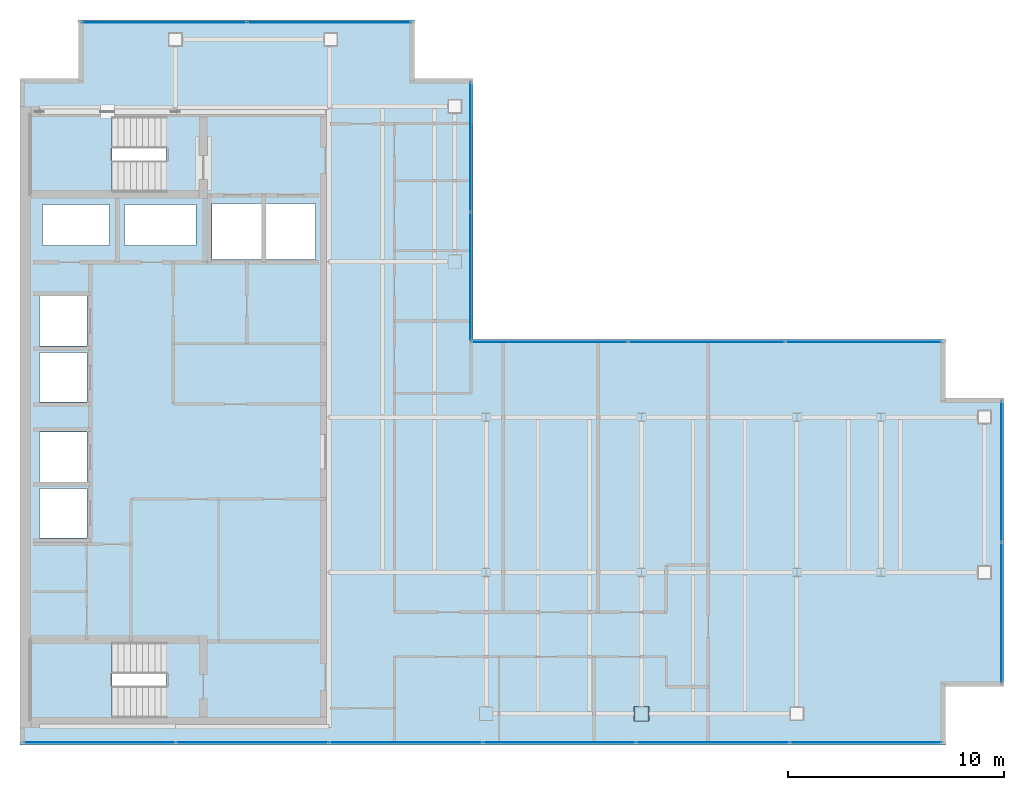
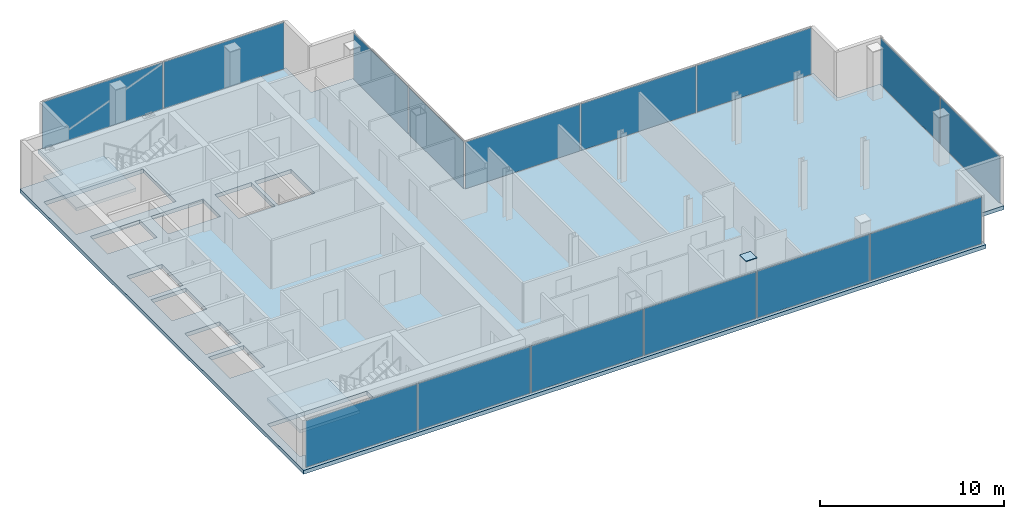
# One storey, part 19 of 24: 16 plates, 3 slabs, 10 openings, 7 elements without a shape of their own.
"""IFC4 building model written with IfcOpenShell, lengths in metres."""

from ifc_helpers import new_model, si_unit, direction, frame, origin, origin_2d, place, context, subcontext, project, spatial, polyline, rectangle, outline, extrude, material, layer, layer_set, type_object, element, aggregate, save


model = new_model("IFC4")

# Units and contexts
model_context = context("Model", 3, precision=1e-05, world=origin(), true_north=direction((0.0, 1.0)))
body_context = subcontext(model_context, "Body", "Model", "MODEL_VIEW")
ifc_project = project(units=[si_unit("LENGTHUNIT", "METRE"), si_unit("AREAUNIT", "SQUARE_METRE"), si_unit("VOLUMEUNIT", "CUBIC_METRE"), si_unit("PLANEANGLEUNIT", "RADIAN"), si_unit("MASSUNIT", "GRAM", prefix="KILO")], contexts=[model_context])

# Site, building, storey
site_placement = place(None, origin())
site = spatial("IfcSite", under=ifc_project, at=site_placement, CompositionType="ELEMENT")
building_placement = place(site_placement, origin())
building = spatial("IfcBuilding", under=site, at=building_placement, Name="Cobrela Telecom Tower", CompositionType="ELEMENT")
storey_placement = place(building_placement, frame((0.0, 0.0, 290.14990234375)))
storey = spatial("IfcBuildingStorey", under=building, at=storey_placement, Name="L76", CompositionType="ELEMENT", Elevation=290.14990234375)

# Curtain wall, plates
ifc_material_1 = material(Name="Anodized Bronze Aluminium 6063-T6", Category="aluminium")
curtain_wall_type = type_object("IfcCurtainWallType", Name="CW-SYS-OFF-HI", PredefinedType="USERDEFINED", material=ifc_material_1)
curtain_wall_1_placement = place(storey_placement, origin())
curtain_wall_1 = element("IfcCurtainWall", 1, at=curtain_wall_1_placement, inside=storey, type_object=curtain_wall_type, Name="L76 Unitised Bronze Curtain Wall 05", ObjectType="UNITISED CURTAIN WALL", PredefinedType="USERDEFINED")
ifc_material_2 = material(Name="Solar-Control Bronze Low-E Glass", Category="glass")
ifc_layer_1 = layer(ifc_material_2, 0.030029296875)
ifc_layer_set_1 = layer_set([ifc_layer_1], Name="Solar-Control Bronze Low-E Glass")
plate_type_1 = type_object("IfcPlateType", Name="CW-SYS-OFF-HI-PNL", PredefinedType="CURTAIN_PANEL", material=ifc_layer_set_1)
plate_1_placement = place(storey_placement, frame((6.6826171875, 39.8798828125, 0.06494140625), z_axis=(0.0, 0.0, 1.0), x_axis=(1.0, 0.0, 0.0)))
plate_1 = element("IfcPlate", 2, at=plate_1_placement, type_object=plate_type_1, Name="CW-OFF-HI panel 1.1", PredefinedType="CURTAIN_PANEL", context=body_context, shape_type="SweptSolid", body=[
    extrude(rectangle(XDim=7.56494140625, YDim=0.030029296875, at=origin_2d()), origin(), (0.0, 0.0, 1.0), 3.110107421875),
])
plate_2_placement = place(storey_placement, frame((14.3173828125, 39.8798828125, 0.06494140625), z_axis=(0.0, 0.0, 1.0), x_axis=(1.0, 0.0, 0.0)))
plate_2 = element("IfcPlate", 3, at=plate_2_placement, type_object=plate_type_1, Name="CW-OFF-HI panel 2.1", PredefinedType="CURTAIN_PANEL", context=body_context, shape_type="SweptSolid", body=[
    extrude(rectangle(XDim=7.56494140625, YDim=0.030029296875, at=origin_2d()), origin(), (0.0, 0.0, 1.0), 3.110107421875),
])
aggregate(curtain_wall_1, [plate_1, plate_2])

curtain_wall_2_placement = place(storey_placement, origin())
curtain_wall_2 = element("IfcCurtainWall", 4, at=curtain_wall_2_placement, inside=storey, type_object=curtain_wall_type, Name="L76 Unitised Bronze Curtain Wall 08", ObjectType="UNITISED CURTAIN WALL", PredefinedType="USERDEFINED")
plate_3_placement = place(storey_placement, frame((20.8798828125, 34.1298828125, 0.06494140625), z_axis=(0.0, 0.0, 1.0), x_axis=(0.0, -1.0, 0.0)))
plate_3 = element("IfcPlate", 5, at=plate_3_placement, type_object=plate_type_1, Name="CW-OFF-HI panel 1.1", PredefinedType="CURTAIN_PANEL", context=body_context, shape_type="SweptSolid", body=[
    extrude(rectangle(XDim=5.93994140625, YDim=0.030029296875, at=origin_2d()), origin(), (0.0, 0.0, 1.0), 3.110107421875),
])
plate_4_placement = place(storey_placement, frame((20.8798828125, 28.1201171875, 0.06494140625), z_axis=(0.0, 0.0, 1.0), x_axis=(0.0, -1.0, 0.0)))
plate_4 = element("IfcPlate", 6, at=plate_4_placement, type_object=plate_type_1, Name="CW-OFF-HI panel 2.1", PredefinedType="CURTAIN_PANEL", context=body_context, shape_type="SweptSolid", body=[
    extrude(rectangle(XDim=5.93994140625, YDim=0.030029296875, at=origin_2d()), origin(), (0.0, 0.0, 1.0), 3.110107421875),
])
aggregate(curtain_wall_2, [plate_3, plate_4])

curtain_wall_3_placement = place(storey_placement, origin())
curtain_wall_3 = element("IfcCurtainWall", 7, at=curtain_wall_3_placement, inside=storey, type_object=curtain_wall_type, Name="L76 Unitised Bronze Curtain Wall 09", ObjectType="UNITISED CURTAIN WALL", PredefinedType="USERDEFINED")
plate_5_placement = place(storey_placement, frame((24.5458984375, 25.080078125, 0.06494140625), z_axis=(0.0, 0.0, 1.0), x_axis=(1.0, 0.0, 0.0)))
plate_5 = element("IfcPlate", 8, at=plate_5_placement, type_object=plate_type_1, Name="CW-OFF-HI panel 1.1", PredefinedType="CURTAIN_PANEL", context=body_context, shape_type="SweptSolid", body=[
    extrude(rectangle(XDim=7.191650390625, YDim=0.030029296875, at=origin_2d()), origin(), (0.0, 0.0, 1.0), 3.110107421875),
])
plate_6_placement = place(storey_placement, frame((31.824951171875, 25.080078125, 0.06494140625), z_axis=(0.0, 0.0, 1.0), x_axis=(1.0, 0.0, 0.0)))
plate_6 = element("IfcPlate", 9, at=plate_6_placement, type_object=plate_type_1, Name="CW-OFF-HI panel 2.1", PredefinedType="CURTAIN_PANEL", context=body_context, shape_type="SweptSolid", body=[
    extrude(rectangle(XDim=7.2265625, YDim=0.030029296875, at=origin_2d()), origin(), (0.0, 0.0, 1.0), 3.110107421875),
])
plate_7_placement = place(storey_placement, frame((39.104248046875, 25.080078125, 0.06494140625), z_axis=(0.0, 0.0, 1.0), x_axis=(1.0, 0.0, 0.0)))
plate_7 = element("IfcPlate", 10, at=plate_7_placement, type_object=plate_type_1, Name="CW-OFF-HI panel 3.1", PredefinedType="CURTAIN_PANEL", context=body_context, shape_type="SweptSolid", body=[
    extrude(rectangle(XDim=7.191650390625, YDim=0.030029296875, at=origin_2d()), origin(), (0.0, 0.0, 1.0), 3.110107421875),
])
aggregate(curtain_wall_3, [plate_5, plate_6, plate_7])

curtain_wall_4_placement = place(storey_placement, origin())
curtain_wall_4 = element("IfcCurtainWall", 11, at=curtain_wall_4_placement, inside=storey, type_object=curtain_wall_type, Name="L76 Unitised Bronze Curtain Wall 12", ObjectType="UNITISED CURTAIN WALL", PredefinedType="USERDEFINED")
plate_8_placement = place(storey_placement, frame((45.47998046875, 19.0673828125, 0.06494140625), z_axis=(0.0, 0.0, 1.0), x_axis=(0.0, -1.0, 0.0)))
plate_8 = element("IfcPlate", 12, at=plate_8_placement, type_object=plate_type_1, Name="CW-OFF-HI panel 1.1", PredefinedType="CURTAIN_PANEL", context=body_context, shape_type="SweptSolid", body=[
    extrude(rectangle(XDim=6.465087890625, YDim=0.030029296875, at=origin_2d()), origin(), (0.0, 0.0, 1.0), 3.110107421875),
])
plate_9_placement = place(storey_placement, frame((45.47998046875, 12.532470703125, 0.06494140625), z_axis=(0.0, 0.0, 1.0), x_axis=(0.0, -1.0, 0.0)))
plate_9 = element("IfcPlate", 13, at=plate_9_placement, type_object=plate_type_1, Name="CW-OFF-HI panel 2.1", PredefinedType="CURTAIN_PANEL", context=body_context, shape_type="SweptSolid", body=[
    extrude(rectangle(XDim=6.465087890625, YDim=0.030029296875, at=origin_2d()), origin(), (0.0, 0.0, 1.0), 3.110107421875),
])
aggregate(curtain_wall_4, [plate_8, plate_9])

curtain_wall_5_placement = place(storey_placement, origin())
curtain_wall_5 = element("IfcCurtainWall", 14, at=curtain_wall_5_placement, inside=storey, type_object=curtain_wall_type, Name="L76 Unitised Bronze Curtain Wall 15", ObjectType="UNITISED CURTAIN WALL", PredefinedType="USERDEFINED")
plate_10_placement = place(storey_placement, frame((39.1982421875, 6.52001953125, 0.06494140625), z_axis=(0.0, 0.0, 1.0), x_axis=(-1.0, 0.0, 0.0)))
plate_10 = element("IfcPlate", 15, at=plate_10_placement, type_object=plate_type_1, Name="CW-OFF-HI panel 1.1", PredefinedType="CURTAIN_PANEL", context=body_context, shape_type="SweptSolid", body=[
    extrude(rectangle(XDim=7.00341796875, YDim=0.030029296875, at=origin_2d()), origin(), (0.0, 0.0, 1.0), 3.110107421875),
])
plate_11_placement = place(storey_placement, frame((32.107421875, 6.52001953125, 0.06494140625), z_axis=(0.0, 0.0, 1.0), x_axis=(-1.0, 0.0, 0.0)))
plate_11 = element("IfcPlate", 16, at=plate_11_placement, type_object=plate_type_1, Name="CW-OFF-HI panel 2.1", PredefinedType="CURTAIN_PANEL", context=body_context, shape_type="SweptSolid", body=[
    extrude(rectangle(XDim=7.038330078125, YDim=0.030029296875, at=origin_2d()), origin(), (0.0, 0.0, 1.0), 3.110107421875),
])
plate_12_placement = place(storey_placement, frame((24.999267578125, 6.52001953125, 0.06494140625), z_axis=(0.0, 0.0, 1.0), x_axis=(-1.0, 0.0, 0.0)))
plate_12 = element("IfcPlate", 17, at=plate_12_placement, type_object=plate_type_1, Name="CW-OFF-HI panel 3.1", PredefinedType="CURTAIN_PANEL", context=body_context, shape_type="SweptSolid", body=[
    extrude(rectangle(XDim=7.038330078125, YDim=0.030029296875, at=origin_2d()), origin(), (0.0, 0.0, 1.0), 3.110107421875),
])
plate_13_placement = place(storey_placement, frame((17.890869140625, 6.52001953125, 0.06494140625), z_axis=(0.0, 0.0, 1.0), x_axis=(-1.0, 0.0, 0.0)))
plate_13 = element("IfcPlate", 18, at=plate_13_placement, type_object=plate_type_1, Name="CW-OFF-HI panel 4.1", PredefinedType="CURTAIN_PANEL", context=body_context, shape_type="SweptSolid", body=[
    extrude(rectangle(XDim=7.038330078125, YDim=0.030029296875, at=origin_2d()), origin(), (0.0, 0.0, 1.0), 3.110107421875),
])
plate_14_placement = place(storey_placement, frame((10.782470703125, 6.52001953125, 0.06494140625), z_axis=(0.0, 0.0, 1.0), x_axis=(-1.0, 0.0, 0.0)))
plate_14 = element("IfcPlate", 19, at=plate_14_placement, type_object=plate_type_1, Name="CW-OFF-HI panel 5.1", PredefinedType="CURTAIN_PANEL", context=body_context, shape_type="SweptSolid", body=[
    extrude(rectangle(XDim=7.038330078125, YDim=0.030029296875, at=origin_2d()), origin(), (0.0, 0.0, 1.0), 3.110107421875),
])
plate_15_placement = place(storey_placement, frame((3.691650390625, 6.52001953125, 0.06494140625), z_axis=(0.0, 0.0, 1.0), x_axis=(-1.0, 0.0, 0.0)))
plate_15 = element("IfcPlate", 20, at=plate_15_placement, type_object=plate_type_1, Name="CW-OFF-HI panel 6.1", PredefinedType="CURTAIN_PANEL", context=body_context, shape_type="SweptSolid", body=[
    extrude(rectangle(XDim=7.00341796875, YDim=0.030029296875, at=origin_2d()), origin(), (0.0, 0.0, 1.0), 3.110107421875),
])
aggregate(curtain_wall_5, [plate_10, plate_11, plate_12, plate_13, plate_14, plate_15])

# Plate
ifc_material_3 = material(Name="Steel ASTM A572 Grade 50", Category="steel")
ifc_layer_2 = layer(ifc_material_3, 0.044921875)
ifc_layer_set_2 = layer_set([ifc_layer_2], Name="Steel ASTM A572 Grade 50")
plate_type_2 = type_object("IfcPlateType", Name="PLT-END-CAP-45", PredefinedType="SHEET", material=ifc_layer_set_2)
plate_16_placement = place(storey_placement, frame((28.800048828125, 7.85009765625, 3.237548828125), z_axis=(0.0, 0.0, 1.0), x_axis=(1.0, 0.0, 0.0)))
element("IfcPlate", 21, at=plate_16_placement, inside=storey, type_object=plate_type_2, Name="L76 Mega-Column Top End Cap Plate 49", PredefinedType="SHEET", context=body_context, shape_type="SweptSolid", body=[
    extrude(rectangle(XDim=0.68994140625, YDim=0.68994140625, at=origin_2d()), origin(), (0.0, 0.0, 1.0), 0.044921875),
])

# Slab, openings
ifc_material_4 = material(Name="Concrete C40/50", Category="concrete")
ifc_layer_3 = layer(ifc_material_4, 0.260009765625)
ifc_layer_set_3 = layer_set([ifc_layer_3], Name="Concrete C40/50")
slab_type_1 = type_object("IfcSlabType", Name="SLAB-FLR-260", PredefinedType="FLOOR", material=ifc_layer_set_3)
slab_1_placement = place(storey_placement, frame((0.0, 0.0, -0.260009765625)))
slab_1 = element("IfcSlab", 22, at=slab_1_placement, inside=storey, type_object=slab_type_1, Name="L76 Structural Floor Slab", PredefinedType="FLOOR", context=body_context, shape_type="SweptSolid", body=[
    extrude(outline(polyline([(0.0, 6.39990234375), (42.889892578125, 6.39990234375), (42.889892578125, 9.110107421875), (45.60009765625, 9.110107421875), (45.60009765625, 22.489990234375), (42.889892578125, 22.489990234375), (42.889892578125, 25.199951171875), (21.0, 25.199951171875), (21.0, 37.2900390625), (18.2900390625, 37.2900390625), (18.2900390625, 40.0), (2.7099609375, 40.0), (2.7099609375, 37.2900390625), (0.0, 37.2900390625), (0.0, 6.39990234375)])), origin(), (0.0, 0.0, 1.0), 0.260009765625),
])
opening_1_placement = place(slab_1_placement, frame((0.0, 0.0, -0.02001953125)))
element("IfcOpeningElement", 23, at=opening_1_placement, cuts=slab_1, Name="Slab Shaft Opening SLAB-L76-MAIN.1", PredefinedType="OPENING", context=body_context, shape_type="SweptSolid", body=[
    extrude(outline(polyline([(8.89990234375, 28.89990234375), (11.199951171875, 28.89990234375), (11.199951171875, 31.5), (8.89990234375, 31.5), (8.89990234375, 28.89990234375)])), origin(), (0.0, 0.0, 1.0), 0.300048828125),
])
opening_2_placement = place(slab_1_placement, frame((0.0, 0.0, -0.02001953125)))
element("IfcOpeningElement", 24, at=opening_2_placement, cuts=slab_1, Name="Slab Shaft Opening SLAB-L76-MAIN.2", PredefinedType="OPENING", context=body_context, shape_type="SweptSolid", body=[
    extrude(outline(polyline([(11.39990234375, 28.89990234375), (13.699951171875, 28.89990234375), (13.699951171875, 31.5), (11.39990234375, 31.5), (11.39990234375, 28.89990234375)])), origin(), (0.0, 0.0, 1.0), 0.300048828125),
])
opening_3_placement = place(slab_1_placement, frame((0.0, 0.0, -0.02001953125)))
element("IfcOpeningElement", 25, at=opening_3_placement, cuts=slab_1, Name="Slab Shaft Opening SLAB-L76-MAIN.3", PredefinedType="OPENING", context=body_context, shape_type="SweptSolid", body=[
    extrude(outline(polyline([(0.89990234375, 16.0), (3.10009765625, 16.0), (3.10009765625, 18.300048828125), (0.89990234375, 18.300048828125), (0.89990234375, 16.0)])), origin(), (0.0, 0.0, 1.0), 0.300048828125),
])
opening_4_placement = place(slab_1_placement, frame((0.0, 0.0, -0.02001953125)))
element("IfcOpeningElement", 26, at=opening_4_placement, cuts=slab_1, Name="Slab Shaft Opening SLAB-L76-MAIN.4", PredefinedType="OPENING", context=body_context, shape_type="SweptSolid", body=[
    extrude(outline(polyline([(0.89990234375, 18.60009765625), (3.10009765625, 18.60009765625), (3.10009765625, 20.89990234375), (0.89990234375, 20.89990234375), (0.89990234375, 18.60009765625)])), origin(), (0.0, 0.0, 1.0), 0.300048828125),
])
opening_5_placement = place(slab_1_placement, frame((0.0, 0.0, -0.02001953125)))
element("IfcOpeningElement", 27, at=opening_5_placement, cuts=slab_1, Name="Slab Shaft Opening SLAB-L76-MAIN.5", PredefinedType="OPENING", context=body_context, shape_type="SweptSolid", body=[
    extrude(outline(polyline([(0.89990234375, 22.300048828125), (3.10009765625, 22.300048828125), (3.10009765625, 24.60009765625), (0.89990234375, 24.60009765625), (0.89990234375, 22.300048828125)])), origin(), (0.0, 0.0, 1.0), 0.300048828125),
])
opening_6_placement = place(slab_1_placement, frame((0.0, 0.0, -0.02001953125)))
element("IfcOpeningElement", 28, at=opening_6_placement, cuts=slab_1, Name="Slab Shaft Opening SLAB-L76-MAIN.6", PredefinedType="OPENING", context=body_context, shape_type="SweptSolid", body=[
    extrude(outline(polyline([(0.89990234375, 24.89990234375), (3.10009765625, 24.89990234375), (3.10009765625, 27.199951171875), (0.89990234375, 27.199951171875), (0.89990234375, 24.89990234375)])), origin(), (0.0, 0.0, 1.0), 0.300048828125),
])
opening_7_placement = place(slab_1_placement, frame((0.0, 0.0, -0.02001953125)))
element("IfcOpeningElement", 29, at=opening_7_placement, cuts=slab_1, Name="Slab Shaft Opening SLAB-L76-MAIN.7", PredefinedType="OPENING", context=body_context, shape_type="SweptSolid", body=[
    extrude(outline(polyline([(1.050048828125, 29.550048828125), (4.14990234375, 29.550048828125), (4.14990234375, 31.449951171875), (1.050048828125, 31.449951171875), (1.050048828125, 29.550048828125)])), origin(), (0.0, 0.0, 1.0), 0.300048828125),
])
opening_8_placement = place(slab_1_placement, frame((0.0, 0.0, -0.02001953125)))
element("IfcOpeningElement", 30, at=opening_8_placement, cuts=slab_1, Name="Slab Shaft Opening SLAB-L76-MAIN.8", PredefinedType="OPENING", context=body_context, shape_type="SweptSolid", body=[
    extrude(outline(polyline([(4.85009765625, 29.550048828125), (8.14990234375, 29.550048828125), (8.14990234375, 31.449951171875), (4.85009765625, 31.449951171875), (4.85009765625, 29.550048828125)])), origin(), (0.0, 0.0, 1.0), 0.300048828125),
])
opening_9_placement = place(slab_1_placement, frame((0.0, 0.0, -0.02001953125)))
element("IfcOpeningElement", 31, at=opening_9_placement, cuts=slab_1, Name="Slab Shaft Opening SLAB-L76-MAIN.9", PredefinedType="OPENING", context=body_context, shape_type="SweptSolid", body=[
    extrude(outline(polyline([(6.7548828125, 35.550048828125), (0.47998046875, 35.550048828125), (0.47998046875, 32.0), (6.7548828125, 32.0), (6.7548828125, 35.550048828125)])), origin(), (0.0, 0.0, 1.0), 0.300048828125),
])
opening_10_placement = place(slab_1_placement, frame((0.0, 0.0, -0.02001953125)))
element("IfcOpeningElement", 32, at=opening_10_placement, cuts=slab_1, Name="Slab Shaft Opening SLAB-L76-MAIN.10", PredefinedType="OPENING", context=body_context, shape_type="SweptSolid", body=[
    extrude(outline(polyline([(6.7548828125, 11.199951171875), (0.47998046875, 11.199951171875), (0.47998046875, 7.64990234375), (6.7548828125, 7.64990234375), (6.7548828125, 11.199951171875)])), origin(), (0.0, 0.0, 1.0), 0.300048828125),
])

# Stair, slab
stair_type = type_object("IfcStairType", Name="STAIR-CORE", PredefinedType="HALF_TURN_STAIR", material=ifc_material_4)
stair_1_placement = place(storey_placement, origin())
stair_1 = element("IfcStair", 33, at=stair_1_placement, inside=storey, type_object=stair_type, Name="L76 Smokeproof Exit Stair ST1", PredefinedType="HALF_TURN_STAIR")
ifc_layer_4 = layer(ifc_material_4, 0.199951171875)
ifc_layer_set_4 = layer_set([ifc_layer_4], Name="Concrete C40/50")
slab_type_2 = type_object("IfcSlabType", Name="SLAB-LAND-200", PredefinedType="LANDING", material=ifc_layer_set_4)
slab_2_placement = place(storey_placement, frame((0.0, 0.0, 1.550048828125)))
slab_2 = element("IfcSlab", 34, at=slab_2_placement, type_object=slab_type_2, Name="ST1 landing 1", PredefinedType="LANDING", context=body_context, shape_type="SweptSolid", body=[
    extrude(outline(polyline([(4.2548828125, 35.550048828125), (0.47998046875, 35.550048828125), (0.47998046875, 32.0), (4.2548828125, 32.0), (4.2548828125, 35.550048828125)])), origin(), (0.0, 0.0, 1.0), 0.199951171875),
])
aggregate(stair_1, [slab_2])

stair_2_placement = place(storey_placement, origin())
stair_2 = element("IfcStair", 35, at=stair_2_placement, inside=storey, type_object=stair_type, Name="L76 Smokeproof Exit Stair ST2", PredefinedType="HALF_TURN_STAIR")
slab_3_placement = place(storey_placement, frame((0.0, 0.0, 1.550048828125)))
slab_3 = element("IfcSlab", 36, at=slab_3_placement, type_object=slab_type_2, Name="ST2 landing 1", PredefinedType="LANDING", context=body_context, shape_type="SweptSolid", body=[
    extrude(outline(polyline([(4.2548828125, 11.199951171875), (0.47998046875, 11.199951171875), (0.47998046875, 7.64990234375), (4.2548828125, 7.64990234375), (4.2548828125, 11.199951171875)])), origin(), (0.0, 0.0, 1.0), 0.199951171875),
])
aggregate(stair_2, [slab_3])

save(model, "model.ifc")
